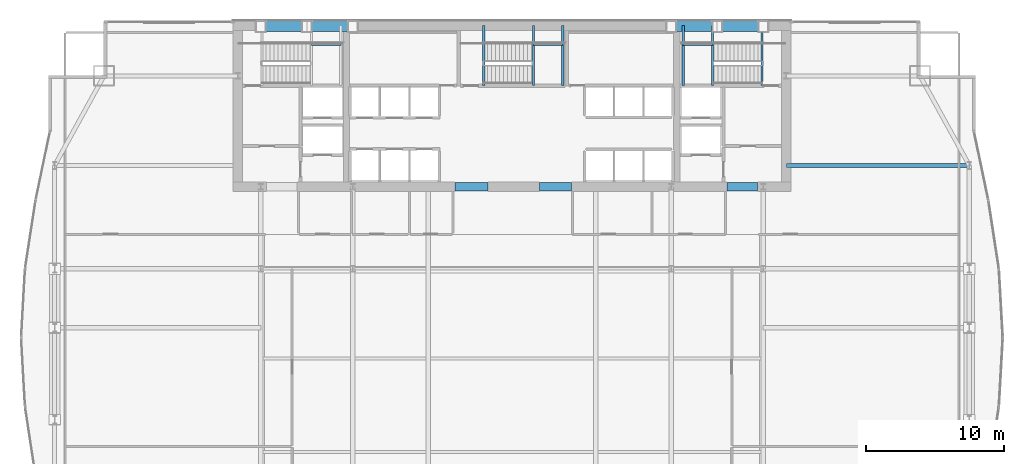
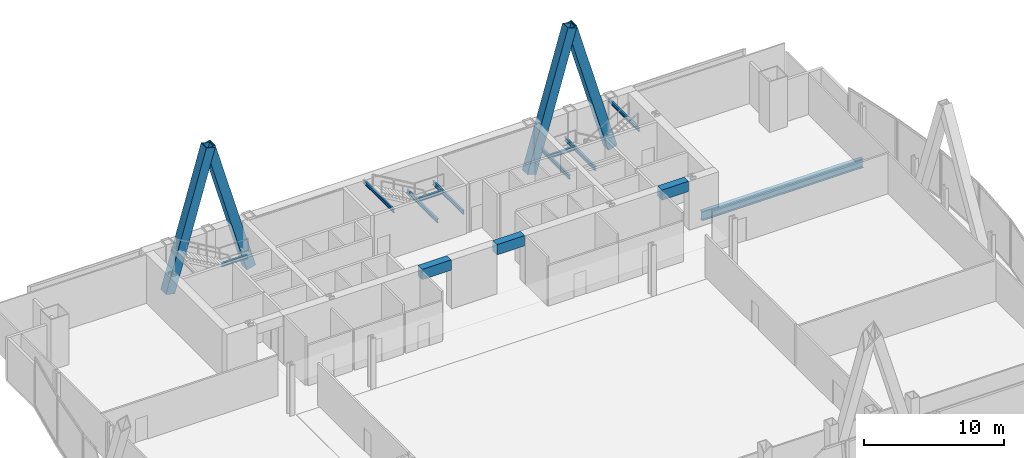
# One storey, part 20 of 32: 13 beams, 4 members.
"""IFC4 building model written with IfcOpenShell, lengths in metres."""

from ifc_helpers import new_model, si_unit, direction, frame, origin, origin_2d, place, context, subcontext, project, spatial, rectangle, hollow_rectangle, i_section, extrude, material, material_profile, profile_set, type_object, element, save


model = new_model("IFC4")

# Units and contexts
model_context = context("Model", 3, precision=1e-05, world=origin(), true_north=direction((0.0, 1.0)))
body_context = subcontext(model_context, "Body", "Model", "MODEL_VIEW")
ifc_project = project(units=[si_unit("LENGTHUNIT", "METRE"), si_unit("AREAUNIT", "SQUARE_METRE"), si_unit("VOLUMEUNIT", "CUBIC_METRE"), si_unit("PLANEANGLEUNIT", "RADIAN"), si_unit("MASSUNIT", "GRAM", prefix="KILO")], contexts=[model_context])

# Site, building, storey
site_placement = place(None, origin())
site = spatial("IfcSite", under=ifc_project, at=site_placement, CompositionType="ELEMENT")
building_placement = place(site_placement, origin())
building = spatial("IfcBuilding", under=site, at=building_placement, Name="Khoronbel Lancet Exchange", CompositionType="ELEMENT")
storey_placement = place(building_placement, frame((0.0, 0.0, 106.60009765625)))
storey = spatial("IfcBuildingStorey", under=building, at=storey_placement, Name="L25", CompositionType="ELEMENT", Elevation=106.60009765625)

# Beams
ifc_material_1 = material(Name="Steel S355", Category="steel")
ifc_material_profile_1 = material_profile(ifc_material_1, i_section(OverallWidth=0.300048828125, OverallDepth=0.800048828125, WebThickness=0.017578125, FlangeThickness=0.032958984375, at=origin_2d()), Name="HEB 800")
ifc_profile_set_1 = profile_set([ifc_material_profile_1], Name="Steel S355")
beam_type_1 = type_object("IfcBeamType", Name="BM-BG2", PredefinedType="BEAM", material=ifc_profile_set_1)
beam_1_placement = place(storey_placement, frame((56.35009765625, 43.199951171875, -0.60009765625), z_axis=(1.0, 0.0, 0.0), x_axis=(0.0, 1.0, 0.0)))
element("IfcBeam", 1, at=beam_1_placement, inside=storey, type_object=beam_type_1, Name="Level L25 east lens tie girder LG3E", PredefinedType="BEAM", context=body_context, shape_type="SweptSolid", body=[
    extrude(i_section(OverallWidth=0.300048828125, OverallDepth=0.800048828125, WebThickness=0.017578125, FlangeThickness=0.032958984375, at=origin_2d()), origin(), (0.0, 0.0, 1.0), 13.27978515625),
])
ifc_material_profile_2 = material_profile(ifc_material_1, i_section(OverallWidth=0.159912109375, OverallDepth=0.330078125, WebThickness=0.007568359375, FlangeThickness=0.011474609375, at=origin_2d()), Name="IPE 330")
ifc_profile_set_2 = profile_set([ifc_material_profile_2], Name="Steel S355")
beam_type_2 = type_object("IfcBeamType", Name="BM-BJ7", PredefinedType="JOIST", material=ifc_profile_set_2)
beam_2_placement = place(storey_placement, frame((21.89990234375, 51.97998046875, 1.8349609375), z_axis=(1.0, 0.0, 0.0), x_axis=(0.0, 1.0, 0.0)))
element("IfcBeam", 2, at=beam_2_placement, inside=storey, type_object=beam_type_2, Name="Level L25 stair ST1 landing cross trimmer beam 1", PredefinedType="JOIST", context=body_context, shape_type="SweptSolid", body=[
    extrude(i_section(OverallWidth=0.159912109375, OverallDepth=0.330078125, WebThickness=0.007568359375, FlangeThickness=0.011474609375, at=origin_2d()), origin(), (0.0, 0.0, 1.0), 2.130126953125),
])
for number, where, z_axis, x_axis, name in (
    (3, (51.0, 48.97998046875, 1.8349609375), (0.0, 1.0, 0.0), (-1.0, 0.0, 0.0), "Level L25 stair ST2 landing bearer beam 1"),
    (4, (48.8701171875, 48.97998046875, 1.8349609375), (0.0, 1.0, 0.0), (-1.0, 0.0, 0.0), "Level L25 stair ST2 rear landing bearer beam 1"),
):
    element("IfcBeam", number, at=place(storey_placement, frame(where, z_axis=z_axis, x_axis=x_axis)), inside=storey, type_object=beam_type_2, Name=name, PredefinedType="JOIST", context=body_context, shape_type="SweptSolid", body=[
        extrude(i_section(OverallWidth=0.159912109375, OverallDepth=0.330078125, WebThickness=0.007568359375, FlangeThickness=0.011474609375, at=origin_2d()), origin(), (0.0, 0.0, 1.0), 4.3701171875),
    ])
beam_3_placement = place(storey_placement, frame((48.8701171875, 51.97998046875, 1.8349609375), z_axis=(1.0, 0.0, 0.0), x_axis=(0.0, 1.0, 0.0)))
element("IfcBeam", 5, at=beam_3_placement, inside=storey, type_object=beam_type_2, Name="Level L25 stair ST2 landing cross trimmer beam 1", PredefinedType="JOIST", context=body_context, shape_type="SweptSolid", body=[
    extrude(i_section(OverallWidth=0.159912109375, OverallDepth=0.330078125, WebThickness=0.007568359375, FlangeThickness=0.011474609375, at=origin_2d()), origin(), (0.0, 0.0, 1.0), 2.1298828125),
])
for number, where, z_axis, x_axis, name in (
    (6, (38.0, 48.97998046875, 1.8349609375), (0.0, 1.0, 0.0), (-1.0, 0.0, 0.0), "Level L25 stair ST3 landing bearer beam 1"),
    (7, (40.1298828125, 48.97998046875, 1.8349609375), (0.0, 1.0, 0.0), (-1.0, 0.0, 0.0), "Level L25 stair ST3 rear landing bearer beam 1"),
):
    element("IfcBeam", number, at=place(storey_placement, frame(where, z_axis=z_axis, x_axis=x_axis)), inside=storey, type_object=beam_type_2, Name=name, PredefinedType="JOIST", context=body_context, shape_type="SweptSolid", body=[
        extrude(i_section(OverallWidth=0.159912109375, OverallDepth=0.330078125, WebThickness=0.007568359375, FlangeThickness=0.011474609375, at=origin_2d()), origin(), (0.0, 0.0, 1.0), 4.3701171875),
    ])
beam_4_placement = place(storey_placement, frame((38.0, 51.97998046875, 1.8349609375), z_axis=(1.0, 0.0, 0.0), x_axis=(0.0, 1.0, 0.0)))
element("IfcBeam", 8, at=beam_4_placement, inside=storey, type_object=beam_type_2, Name="Level L25 stair ST3 landing cross trimmer beam 1", PredefinedType="JOIST", context=body_context, shape_type="SweptSolid", body=[
    extrude(i_section(OverallWidth=0.159912109375, OverallDepth=0.330078125, WebThickness=0.007568359375, FlangeThickness=0.011474609375, at=origin_2d()), origin(), (0.0, 0.0, 1.0), 2.1298828125),
])
ifc_material_profile_3 = material_profile(ifc_material_1, i_section(OverallWidth=0.14990234375, OverallDepth=0.300048828125, WebThickness=0.007080078125, FlangeThickness=0.0107421875, at=origin_2d()), Name="IPE 300")
ifc_profile_set_3 = profile_set([ifc_material_profile_3], Name="Steel S355")
beam_type_3 = type_object("IfcBeamType", Name="BM-BJ8", PredefinedType="JOIST", material=ifc_profile_set_3)
for number, where, z_axis, x_axis, name in (
    (9, (54.60009765625, 48.97998046875, 3.9599609375), (0.0, 1.0, 0.0), (-1.0, 0.0, 0.0), "Level L25 stair ST2 upper-flight arrival trimmer beam"),
    (10, (34.39990234375, 48.97998046875, 3.9599609375), (0.0, 1.0, 0.0), (-1.0, 0.0, 0.0), "Level L25 stair ST3 upper-flight arrival trimmer beam"),
):
    element("IfcBeam", number, at=place(storey_placement, frame(where, z_axis=z_axis, x_axis=x_axis)), inside=storey, type_object=beam_type_3, Name=name, PredefinedType="JOIST", context=body_context, shape_type="SweptSolid", body=[
        extrude(i_section(OverallWidth=0.14990234375, OverallDepth=0.300048828125, WebThickness=0.007080078125, FlangeThickness=0.0107421875, at=origin_2d()), origin(), (0.0, 0.0, 1.0), 4.3701171875),
    ])
ifc_material_2 = material(Name="Concrete C80/95", Category="concrete")
ifc_material_profile_4 = material_profile(ifc_material_2, rectangle(XDim=0.60009765625, YDim=0.89990234375, at=origin_2d()), Name="RC 600x900")
ifc_profile_set_4 = profile_set([ifc_material_profile_4], Name="Concrete C80/95")
beam_type_4 = type_object("IfcBeamType", Name="BM-BL1", PredefinedType="LINTEL", material=ifc_profile_set_4)
beam_5_placement = place(storey_placement, frame((32.300048828125, 41.64990234375, 3.789794921875), z_axis=(1.0, 0.0, 0.0), x_axis=(0.0, 1.0, 0.0)))
element("IfcBeam", 11, at=beam_5_placement, inside=storey, type_object=beam_type_4, Name="Level L25 rear core coupling lintel L2", PredefinedType="LINTEL", context=body_context, shape_type="SweptSolid", body=[
    extrude(rectangle(XDim=0.60009765625, YDim=0.89990234375, at=origin_2d()), origin(), (0.0, 0.0, 1.0), 2.39990234375),
])
beam_6_placement = place(storey_placement, frame((38.449951171875, 41.64990234375, 3.789794921875), z_axis=(1.0, 0.0, 0.0), x_axis=(0.0, 1.0, 0.0)))
element("IfcBeam", 12, at=beam_6_placement, inside=storey, type_object=beam_type_4, Name="Level L25 rear core coupling lintel L3", PredefinedType="LINTEL", context=body_context, shape_type="SweptSolid", body=[
    extrude(rectangle(XDim=0.60009765625, YDim=0.89990234375, at=origin_2d()), origin(), (0.0, 0.0, 1.0), 2.300048828125),
])
beam_7_placement = place(storey_placement, frame((52.050048828125, 41.64990234375, 3.789794921875), z_axis=(1.0, 0.0, 0.0), x_axis=(0.0, 1.0, 0.0)))
element("IfcBeam", 13, at=beam_7_placement, inside=storey, type_object=beam_type_4, Name="Level L25 rear core coupling lintel L4", PredefinedType="LINTEL", context=body_context, shape_type="SweptSolid", body=[
    extrude(rectangle(XDim=0.60009765625, YDim=0.89990234375, at=origin_2d()), origin(), (0.0, 0.0, 1.0), 2.199951171875),
])

# Members
ifc_material_3 = material(Name="Steel S460", Category="steel")
ifc_material_profile_5 = material_profile(ifc_material_3, hollow_rectangle(XDim=0.760009765625, YDim=0.760009765625, WallThickness=0.054931640625, at=origin_2d()), Name="BOX 760x760x55")
ifc_profile_set_5 = profile_set([ifc_material_profile_5], Name="Steel S460")
member_type = type_object("IfcMemberType", Name="MEM-MB1", PredefinedType="BRACE", material=ifc_profile_set_5)
for number, where, z_axis, x_axis, name in (
    (14, (18.22509765625, 53.280029296875, 0.0), (0.276494474889, 0.0, 0.961015507344), (0.0, 1.0, 0.0), "Perimeter lancet brace tier 8 N-W-L"),
    (15, (24.89990234375, 53.280029296875, 0.0), (-0.276494474889, 0.0, 0.961015507344), (0.0, -1.0, 0.0), "Perimeter lancet brace tier 8 N-W-R"),
    (16, (48.0, 53.280029296875, 0.0), (0.276494474889, 0.0, 0.961015507344), (0.0, 1.0, 0.0), "Perimeter lancet brace tier 8 N-E-L"),
):
    element("IfcMember", number, at=place(storey_placement, frame(where, z_axis=z_axis, x_axis=x_axis)), inside=storey, type_object=member_type, Name=name, PredefinedType="BRACE", context=body_context, shape_type="SweptSolid", body=[
        extrude(hollow_rectangle(XDim=0.760009765625, YDim=0.760009765625, WallThickness=0.054931640625, at=origin_2d()), origin(), (0.0, 0.0, 1.0), 12.0703125),
    ])
member_placement = place(storey_placement, frame((54.675048828125, 53.280029296875, 0.0), z_axis=(-0.276513154812, 0.0, 0.961010132733), x_axis=(0.0, -1.0, 0.0)))
element("IfcMember", 17, at=member_placement, inside=storey, type_object=member_type, Name="Perimeter lancet brace tier 8 N-E-R", PredefinedType="BRACE", context=body_context, shape_type="SweptSolid", body=[
    extrude(hollow_rectangle(XDim=0.760009765625, YDim=0.760009765625, WallThickness=0.054931640625, at=origin_2d()), origin(), (0.0, 0.0, 1.0), 12.070556640625),
])

save(model, "model.ifc")
